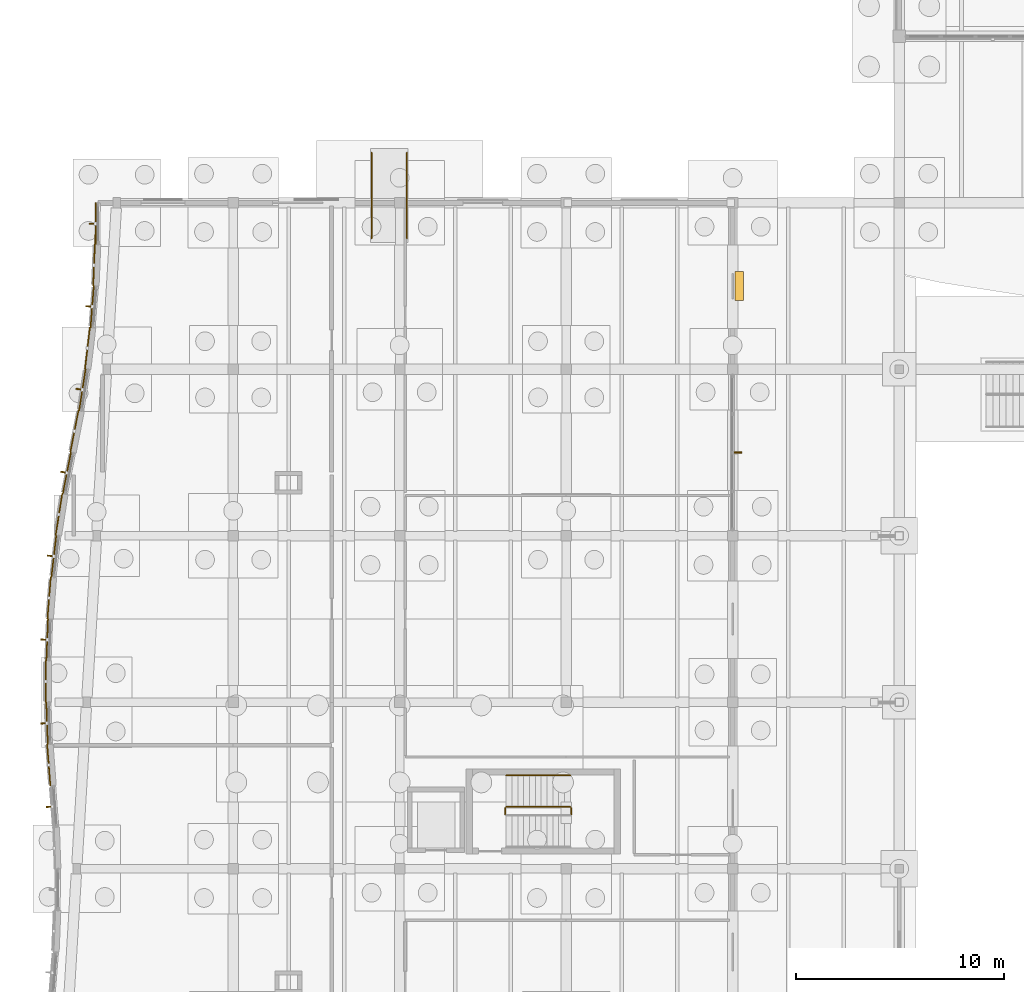
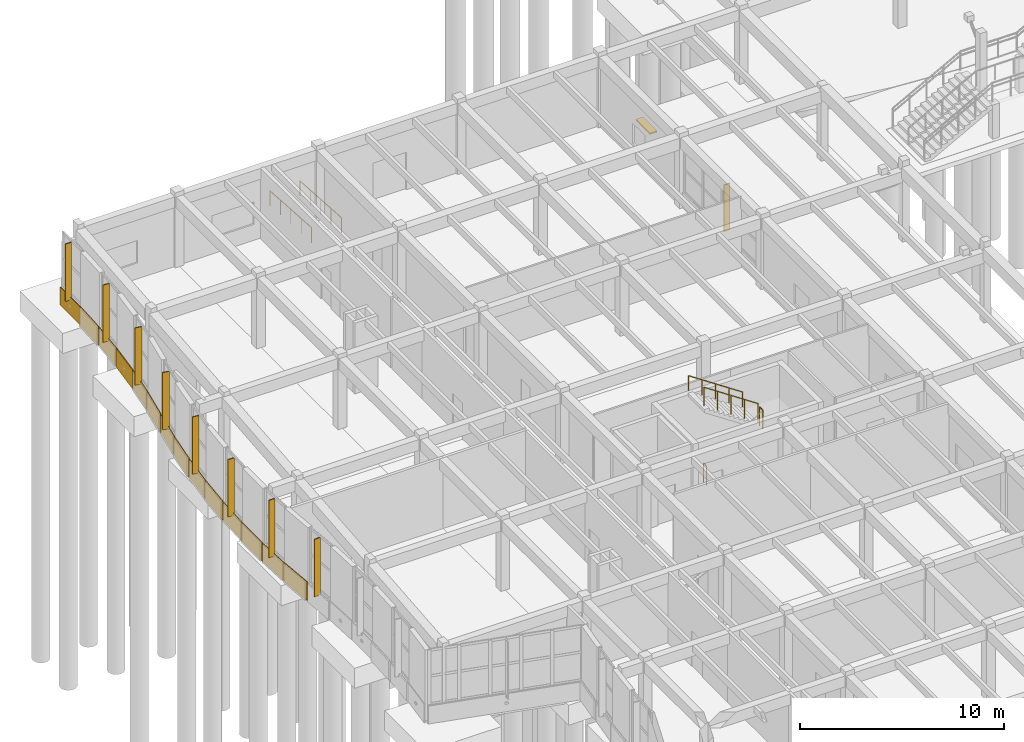
# One storey, part 89 of 99: 14 coverings, 10 shading devices, 6 railings.
"""IFC4 building model written with IfcOpenShell, lengths in metres."""

from ifc_helpers import new_model, si_unit, direction, frame, origin, origin_2d, place, context, subcontext, project, spatial, polyline, rectangle, circle, outline, extrude, material, layer, layer_set, type_object, element, save


model = new_model("IFC4")

# Units and contexts
model_context = context("Model", 3, precision=1e-05, world=origin(), true_north=direction((0.0, 1.0)))
body_context = subcontext(model_context, "Body", "Model", "MODEL_VIEW")
ifc_project = project(units=[si_unit("LENGTHUNIT", "METRE"), si_unit("AREAUNIT", "SQUARE_METRE"), si_unit("VOLUMEUNIT", "CUBIC_METRE"), si_unit("PLANEANGLEUNIT", "RADIAN"), si_unit("MASSUNIT", "GRAM", prefix="KILO")], contexts=[model_context])

# Site, building, storey
site_placement = place(None, origin())
site = spatial("IfcSite", under=ifc_project, at=site_placement, CompositionType="ELEMENT")
building_placement = place(site_placement, origin())
building = spatial("IfcBuilding", under=site, at=building_placement, Name="Tonlespit Floodbar School", CompositionType="ELEMENT")
storey_placement = place(building_placement, origin())
storey = spatial("IfcBuildingStorey", under=building, at=storey_placement, Name="L00", CompositionType="ELEMENT", Elevation=0.0)

# Coverings
ifc_material_1 = material(Name="White Architectural Aluminium", Category="aluminium")
ifc_layer_1 = layer(ifc_material_1, 0.050048828125)
ifc_layer_set_1 = layer_set([ifc_layer_1], Name="White Architectural Aluminium")
covering_type = type_object("IfcCoveringType", Name="Cladding_WhiteBand_50", PredefinedType="CLADDING", material=ifc_layer_set_1)
covering_1_placement = place(storey_placement, frame((0.0, 0.0, -0.1201171875)))
element("IfcCovering", 1, at=covering_1_placement, inside=storey, type_object=covering_type, Name="L00 curved white spandrel cladding 0500", PredefinedType="CLADDING", context=body_context, shape_type="SweptSolid", body=[
    extrude(outline(polyline([(3.240478515625, 67.990234375), (3.088623046875, 69.990234375), (3.038818359375, 69.986328125), (3.1904296875, 67.986328125), (3.240478515625, 67.990234375)])), origin(), (0.0, 0.0, 1.0), 1.1201171875),
])
covering_2_placement = place(storey_placement, frame((0.0, 0.0, -0.1201171875)))
element("IfcCovering", 2, at=covering_2_placement, inside=storey, type_object=covering_type, Name="L00 curved white spandrel cladding 0501", PredefinedType="CLADDING", context=body_context, shape_type="SweptSolid", body=[
    extrude(outline(polyline([(3.118408203125, 69.996337890625), (3.045166015625, 71.996337890625), (2.9951171875, 71.994384765625), (3.068359375, 69.994384765625), (3.118408203125, 69.996337890625)])), origin(), (0.0, 0.0, 1.0), 1.070068359375),
])
covering_3_placement = place(storey_placement, frame((0.0, 0.0, -0.1201171875)))
element("IfcCovering", 3, at=covering_3_placement, inside=storey, type_object=covering_type, Name="L00 curved white spandrel cladding 0502", PredefinedType="CLADDING", context=body_context, shape_type="SweptSolid", body=[
    extrude(outline(polyline([(3.014892578125, 72.000244140625), (3.019287109375, 74.000244140625), (2.969482421875, 74.00048828125), (2.965087890625, 72.00048828125), (3.014892578125, 72.000244140625)])), origin(), (0.0, 0.0, 1.0), 1.1201171875),
])
covering_4_placement = place(storey_placement, frame((0.0, 0.0, -0.1201171875)))
element("IfcCovering", 4, at=covering_4_placement, inside=storey, type_object=covering_type, Name="L00 curved white spandrel cladding 0503", PredefinedType="CLADDING", context=body_context, shape_type="SweptSolid", body=[
    extrude(outline(polyline([(3.049560546875, 74.004150390625), (3.131103515625, 76.004150390625), (3.0810546875, 76.006103515625), (2.99951171875, 74.006103515625), (3.049560546875, 74.004150390625)])), origin(), (0.0, 0.0, 1.0), 1.070068359375),
])
covering_5_placement = place(storey_placement, frame((0.0, 0.0, -0.1201171875)))
element("IfcCovering", 5, at=covering_5_placement, inside=storey, type_object=covering_type, Name="L00 curved white spandrel cladding 0504", PredefinedType="CLADDING", context=body_context, shape_type="SweptSolid", body=[
    extrude(outline(polyline([(3.101318359375, 76.01025390625), (3.259765625, 78.01025390625), (3.2099609375, 78.014404296875), (3.051513671875, 76.014404296875), (3.101318359375, 76.01025390625)])), origin(), (0.0, 0.0, 1.0), 1.1201171875),
])
covering_6_placement = place(storey_placement, frame((0.0, 0.0, -0.1201171875)))
element("IfcCovering", 6, at=covering_6_placement, inside=storey, type_object=covering_type, Name="L00 curved white spandrel cladding 0505", PredefinedType="CLADDING", context=body_context, shape_type="SweptSolid", body=[
    extrude(outline(polyline([(3.2900390625, 78.01171875), (3.525634765625, 80.01171875), (3.47607421875, 80.017578125), (3.240478515625, 78.017578125), (3.2900390625, 78.01171875)])), origin(), (0.0, 0.0, 1.0), 1.070068359375),
])
covering_7_placement = place(storey_placement, frame((0.0, 0.0, -0.1201171875)))
element("IfcCovering", 7, at=covering_7_placement, inside=storey, type_object=covering_type, Name="L00 curved white spandrel cladding 0506", PredefinedType="CLADDING", context=body_context, shape_type="SweptSolid", body=[
    extrude(outline(polyline([(3.49658203125, 80.02001953125), (3.809814453125, 82.02001953125), (3.760498046875, 82.02783203125), (3.447265625, 80.02783203125), (3.49658203125, 80.02001953125)])), origin(), (0.0, 0.0, 1.0), 1.1201171875),
])
covering_8_placement = place(storey_placement, frame((0.0, 0.0, -0.1201171875)))
element("IfcCovering", 8, at=covering_8_placement, inside=storey, type_object=covering_type, Name="L00 curved white spandrel cladding 0507", PredefinedType="CLADDING", context=body_context, shape_type="SweptSolid", body=[
    extrude(outline(polyline([(3.840087890625, 82.019287109375), (4.23193359375, 84.019287109375), (4.182861328125, 84.02880859375), (3.791015625, 82.02880859375), (3.840087890625, 82.019287109375)])), origin(), (0.0, 0.0, 1.0), 1.070068359375),
])
covering_9_placement = place(storey_placement, frame((0.0, 0.0, -0.1201171875)))
element("IfcCovering", 9, at=covering_9_placement, inside=storey, type_object=covering_type, Name="L00 curved white spandrel cladding 0508", PredefinedType="CLADDING", context=body_context, shape_type="SweptSolid", body=[
    extrude(outline(polyline([(4.202392578125, 84.02490234375), (4.59423828125, 86.02490234375), (4.545166015625, 86.03466796875), (4.1533203125, 84.03466796875), (4.202392578125, 84.02490234375)])), origin(), (0.0, 0.0, 1.0), 1.1201171875),
])
covering_10_placement = place(storey_placement, frame((0.0, 0.0, -0.1201171875)))
element("IfcCovering", 10, at=covering_10_placement, inside=storey, type_object=covering_type, Name="L00 curved white spandrel cladding 0509", PredefinedType="CLADDING", context=body_context, shape_type="SweptSolid", body=[
    extrude(outline(polyline([(4.623046875, 86.015380859375), (4.936279296875, 88.015380859375), (4.88671875, 88.023193359375), (4.573486328125, 86.023193359375), (4.623046875, 86.015380859375)])), origin(), (0.0, 0.0, 1.0), 1.070068359375),
])
covering_11_placement = place(storey_placement, frame((0.0, 0.0, -0.1201171875)))
element("IfcCovering", 11, at=covering_11_placement, inside=storey, type_object=covering_type, Name="L00 curved white spandrel cladding 0510", PredefinedType="CLADDING", context=body_context, shape_type="SweptSolid", body=[
    extrude(outline(polyline([(4.906005859375, 88.01513671875), (5.1416015625, 90.01513671875), (5.091796875, 90.02099609375), (4.856201171875, 88.02099609375), (4.906005859375, 88.01513671875)])), origin(), (0.0, 0.0, 1.0), 1.1201171875),
])
covering_12_placement = place(storey_placement, frame((0.0, 0.0, -0.1201171875)))
element("IfcCovering", 12, at=covering_12_placement, inside=storey, type_object=covering_type, Name="L00 curved white spandrel cladding 0511", PredefinedType="CLADDING", context=body_context, shape_type="SweptSolid", body=[
    extrude(outline(polyline([(5.1708984375, 90.0078125), (5.329345703125, 92.0078125), (5.279541015625, 92.011962890625), (5.12109375, 90.011962890625), (5.1708984375, 90.0078125)])), origin(), (0.0, 0.0, 1.0), 1.070068359375),
])
covering_13_placement = place(storey_placement, frame((0.0, 0.0, -0.1201171875)))
element("IfcCovering", 13, at=covering_13_placement, inside=storey, type_object=covering_type, Name="L00 curved white spandrel cladding 0512", PredefinedType="CLADDING", context=body_context, shape_type="SweptSolid", body=[
    extrude(outline(polyline([(5.29931640625, 92.00537109375), (5.380615234375, 94.00537109375), (5.330810546875, 94.00732421875), (5.249267578125, 92.00732421875), (5.29931640625, 92.00537109375)])), origin(), (0.0, 0.0, 1.0), 1.1201171875),
])
covering_14_placement = place(storey_placement, frame((0.0, 0.0, -0.1201171875)))
element("IfcCovering", 14, at=covering_14_placement, inside=storey, type_object=covering_type, Name="L00 curved white spandrel cladding 0513", PredefinedType="CLADDING", context=body_context, shape_type="SweptSolid", body=[
    extrude(outline(polyline([(5.41064453125, 94.000244140625), (5.4150390625, 96.000244140625), (5.364990234375, 96.000244140625), (5.360595703125, 94.000244140625), (5.41064453125, 94.000244140625)])), origin(), (0.0, 0.0, 1.0), 1.070068359375),
])

# Railings
ifc_material_2 = material(Name="Galvanised Steel", Category="steel")
railing_type_1 = type_object("IfcRailingType", Name="Guard_Int_1150", PredefinedType="BALUSTRADE", material=ifc_material_2)
railing_1_placement = place(storey_placement, frame((28.25, 66.6201171875, 2.25)))
element("IfcRailing", 15, at=railing_1_placement, inside=storey, type_object=railing_type_1, Name="L00 ST-C3 stair guard 2", PredefinedType="BALUSTRADE", context=body_context, shape_type="SweptSolid", body=[
    extrude(circle(Radius=0.02392578125, at=origin_2d()), frame((0.0, 0.0, 1.1259765625), z_axis=(0.0, 1.0, 0.0), x_axis=(-1.0, 0.0, 0.0)), (0.0, 0.0, 1.0), 0.2998046875),
    extrude(circle(Radius=0.02099609375, at=origin_2d()), origin(), (0.0, 0.0, 1.0), 1.101806640625),
    extrude(circle(Radius=0.02099609375, at=origin_2d()), frame((0.0, 0.2998046875, 0.0)), (0.0, 0.0, 1.0), 1.101806640625),
])
railing_2_placement = place(storey_placement, frame((28.199951171875, 66.969970703125, 2.4375)))
element("IfcRailing", 16, at=railing_2_placement, inside=storey, type_object=railing_type_1, Name="L00 ST-C3 stair guard 3", PredefinedType="BALUSTRADE", context=body_context, shape_type="SweptSolid", body=[
    extrude(circle(Radius=0.02392578125, at=origin_2d()), frame((0.0, 0.0, 1.1259765625), z_axis=(-0.830893310487, 0.0, 0.556431762742), x_axis=(0.0, -1.0, 0.0)), (0.0, 0.0, 1.0), 3.70654296875),
    extrude(circle(Radius=0.02099609375, at=origin_2d()), origin(), (0.0, 0.0, 1.0), 1.101806640625),
    extrude(circle(Radius=0.02099609375, at=origin_2d()), frame((-0.77001953125, 0.0, 0.515625)), (0.0, 0.0, 1.0), 1.101806640625),
    extrude(circle(Radius=0.02099609375, at=origin_2d()), frame((-1.5400390625, 0.0, 1.03125)), (0.0, 0.0, 1.0), 1.101806640625),
    extrude(circle(Radius=0.02099609375, at=origin_2d()), frame((-2.309814453125, 0.0, 1.546875)), (0.0, 0.0, 1.0), 1.101806640625),
    extrude(circle(Radius=0.02099609375, at=origin_2d()), frame((-3.079833984375, 0.0, 2.0625)), (0.0, 0.0, 1.0), 1.101806640625),
])
railing_3_placement = place(storey_placement, frame((25.070068359375, 66.6201171875, 0.0)))
element("IfcRailing", 17, at=railing_3_placement, inside=storey, type_object=railing_type_1, Name="L00 ST-C3 stair guard 4", PredefinedType="BALUSTRADE", context=body_context, shape_type="SweptSolid", body=[
    extrude(circle(Radius=0.02392578125, at=origin_2d()), frame((0.0, 0.0, 1.1259765625), z_axis=(0.0, 1.0, 0.0), x_axis=(-1.0, 0.0, 0.0)), (0.0, 0.0, 1.0), 0.2998046875),
    extrude(circle(Radius=0.02099609375, at=origin_2d()), origin(), (0.0, 0.0, 1.0), 1.101806640625),
    extrude(circle(Radius=0.02099609375, at=origin_2d()), frame((0.0, 0.2998046875, 0.0)), (0.0, 0.0, 1.0), 1.101806640625),
])
railing_type_2 = type_object("IfcRailingType", Name="Handrail_Ext_920", PredefinedType="HANDRAIL", material=ifc_material_2)
for number, where, name in (
    (18, (18.64990234375, 98.39990234375, -0.284912109375), "Ramp RMP-NW handrail 1"),
    (19, (20.35009765625, 98.39990234375, -0.284912109375), "Ramp RMP-NW handrail 2"),
):
    element("IfcRailing", number, at=place(storey_placement, frame(where)), inside=storey, type_object=railing_type_2, Name=name, PredefinedType="HANDRAIL", context=body_context, shape_type="SweptSolid", body=[
        extrude(circle(Radius=0.02392578125, at=origin_2d()), frame((0.0, 0.0, 0.89599609375), z_axis=(0.0, -0.997838209405, 0.065718398118), x_axis=(1.0, 0.0, 0.0)), (0.0, 0.0, 1.0), 4.108642578125),
        extrude(circle(Radius=0.02099609375, at=origin_2d()), origin(), (0.0, 0.0, 1.0), 0.871826171875),
        extrude(circle(Radius=0.02099609375, at=origin_2d()), frame((0.0, -1.02490234375, 0.0673828125)), (0.0, 0.0, 1.0), 0.871826171875),
        extrude(circle(Radius=0.02099609375, at=origin_2d()), frame((0.0, -2.0498046875, 0.135009765625)), (0.0, 0.0, 1.0), 0.871826171875),
        extrude(circle(Radius=0.02099609375, at=origin_2d()), frame((0.0, -3.074951171875, 0.20263671875)), (0.0, 0.0, 1.0), 0.871826171875),
        extrude(circle(Radius=0.02099609375, at=origin_2d()), frame((0.0, -4.099853515625, 0.27001953125)), (0.0, 0.0, 1.0), 0.871826171875),
    ])
railing_type_3 = type_object("IfcRailingType", Name="Handrail_Int_920", PredefinedType="HANDRAIL", material=ifc_material_2)
railing_4_placement = place(storey_placement, frame((28.199951171875, 68.489990234375, 2.4375)))
element("IfcRailing", 20, at=railing_4_placement, inside=storey, type_object=railing_type_3, Name="L00 ST-C3 stair handrail 2", PredefinedType="HANDRAIL", context=body_context, shape_type="SweptSolid", body=[
    extrude(circle(Radius=0.02392578125, at=origin_2d()), frame((0.0, 0.0, 0.89599609375), z_axis=(-0.830893310487, 0.0, 0.556431762742), x_axis=(0.0, -1.0, 0.0)), (0.0, 0.0, 1.0), 3.70654296875),
    extrude(circle(Radius=0.02099609375, at=origin_2d()), origin(), (0.0, 0.0, 1.0), 0.871826171875),
    extrude(circle(Radius=0.02099609375, at=origin_2d()), frame((-0.77001953125, 0.0, 0.515625)), (0.0, 0.0, 1.0), 0.871826171875),
    extrude(circle(Radius=0.02099609375, at=origin_2d()), frame((-1.5400390625, 0.0, 1.03125)), (0.0, 0.0, 1.0), 0.871826171875),
    extrude(circle(Radius=0.02099609375, at=origin_2d()), frame((-2.309814453125, 0.0, 1.546875)), (0.0, 0.0, 1.0), 0.871826171875),
    extrude(circle(Radius=0.02099609375, at=origin_2d()), frame((-3.079833984375, 0.0, 2.0625)), (0.0, 0.0, 1.0), 0.871826171875),
])

# Shading devices
ifc_material_3 = material(Name="Anodised Aluminium", Category="aluminium")
ifc_layer_2 = layer(ifc_material_3, 0.080078125)
ifc_layer_set_2 = layer_set([ifc_layer_2], Name="Anodised Aluminium")
shading_device_type_1 = type_object("IfcShadingDeviceType", Name="Shading_MonsoonJalousie_400", PredefinedType="JALOUSIE", material=ifc_layer_set_2)
shading_device_1_placement = place(storey_placement, frame((36.318115234375, 92.0, 2.169921875), z_axis=(0.0, 0.0, 1.0), x_axis=(0.0, -1.0, 0.0)))
element("IfcShadingDevice", 21, at=shading_device_1_placement, inside=storey, type_object=shading_device_type_1, Name="L00 monsoon jalousie 128", PredefinedType="JALOUSIE", context=body_context, shape_type="SweptSolid", body=[
    extrude(rectangle(XDim=1.39990234375, YDim=0.39990234375, at=origin_2d()), origin(), (0.0, 0.0, 1.0), 0.080078125),
])
ifc_material_4 = material(Name="Terracotta Anodised Aluminium", Category="masonry")
ifc_layer_3 = layer(ifc_material_4, 0.06005859375)
ifc_layer_set_3 = layer_set([ifc_layer_3], Name="Terracotta Anodised Aluminium")
shading_device_type_2 = type_object("IfcShadingDeviceType", Name="Shading_SolarFin_350", PredefinedType="USERDEFINED", material=ifc_layer_set_3)
for number, where, z_axis, x_axis, name in (
    (22, (3.1865234375, 66.980224609375, 0.800048828125), (0.0, 0.0, 1.0), (-0.075681836348, 0.997132017161, 0.0), "L00 vertical solar fin 120"),
    (23, (2.921875, 70.990478515625, 0.800048828125), (0.0, 0.0, 1.0), (-0.036575686496, 0.999330885722, 0.0), "L00 vertical solar fin 121"),
    (24, (2.930419921875, 75.010498046875, 0.800048828125), (0.0, 0.0, 1.0), (0.040715999914, 0.999170759856, 0.0), "L00 vertical solar fin 122"),
    (25, (3.2490234375, 79.030517578125, 0.800048828125), (0.0, 0.0, 1.0), (0.116991411823, 0.99313292643, 0.0), "L00 vertical solar fin 123"),
    (26, (3.87890625, 83.050048828125, 0.800048828125), (0.0, 0.0, 1.0), (0.192246217643, 0.98134672354, 0.0), "L00 vertical solar fin 124"),
    (27, (4.62158203125, 87.040283203125, 0.800048828125), (0.0, 0.0, 1.0), (0.154713834929, 0.987959325722, 0.0), "L00 vertical solar fin 125"),
    (28, (5.0908203125, 91.0205078125, 0.800048828125), (0.0, 0.0, 1.0), (0.079001948152, 0.996874461599, 0.0), "L00 vertical solar fin 126"),
    (29, (5.252685546875, 95.00048828125, 0.800048828125), (0.0, 0.0, 1.0), (0.00220085841, 0.999997578108, 0.0), "L00 vertical solar fin 127"),
):
    element("IfcShadingDevice", number, at=place(storey_placement, frame(where, z_axis=z_axis, x_axis=x_axis)), inside=storey, type_object=shading_device_type_2, Name=name, ObjectType="SOLAR FIN", PredefinedType="USERDEFINED", context=body_context, shape_type="SweptSolid", body=[
        extrude(rectangle(XDim=0.06005859375, YDim=0.35009765625, at=origin_2d()), origin(), (0.0, 0.0, 1.0), 3.43994140625),
    ])
shading_device_2_placement = place(storey_placement, frame((36.25244140625, 84.0, 0.800048828125), z_axis=(0.0, 0.0, 1.0), x_axis=(0.0, -1.0, 0.0)))
element("IfcShadingDevice", 30, at=shading_device_2_placement, inside=storey, type_object=shading_device_type_2, Name="L00 vertical solar fin 129", ObjectType="SOLAR FIN", PredefinedType="USERDEFINED", context=body_context, shape_type="SweptSolid", body=[
    extrude(rectangle(XDim=0.06005859375, YDim=0.35009765625, at=origin_2d()), origin(), (0.0, 0.0, 1.0), 2.7900390625),
])

save(model, "model.ifc")
